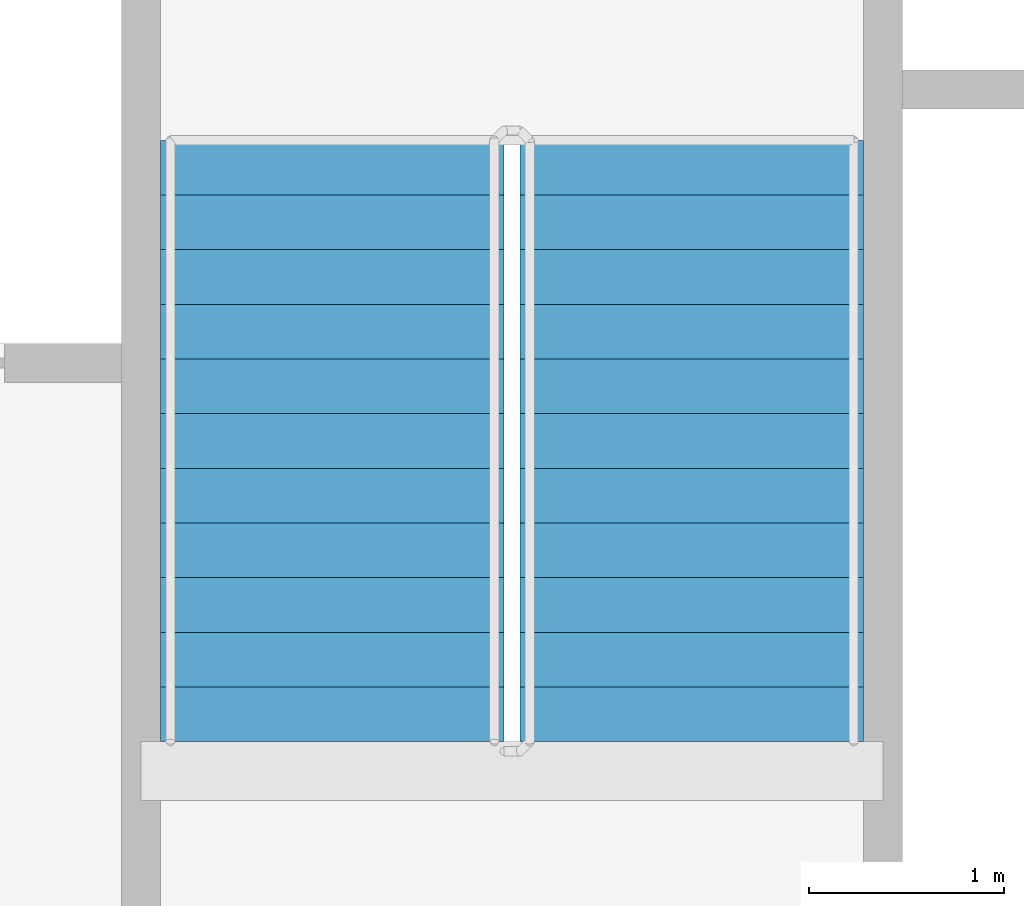
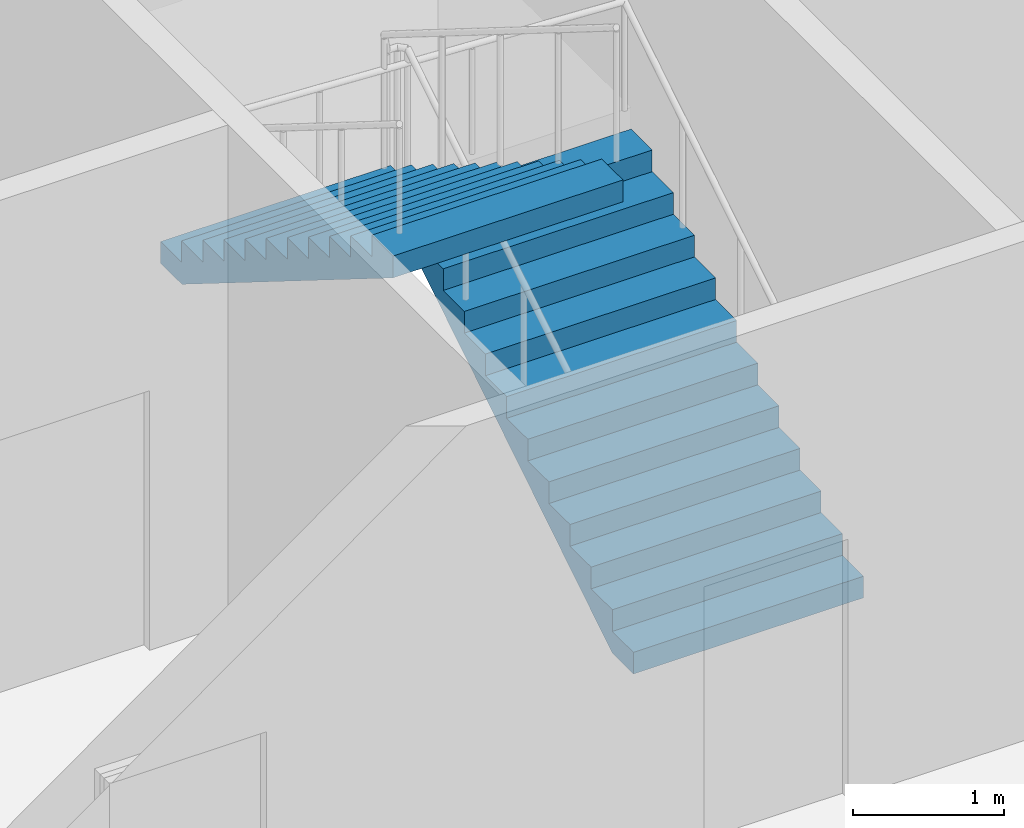
# One storey, part 30 of 35: 2 stair flights, 1 element without a shape of its own.
"""IFC4 building model written with IfcOpenShell, lengths in metres."""

import ifcopenshell
import ifcopenshell.guid

model = None  # the IFC model being written
_history = None  # IfcOwnerHistory: only IFC2X3 demands one
_inside = {}  # id of a spatial element -> (the spatial element, [elements in it])
_under = {}  # id of a project, library or spatial element -> (it, [spatial elements below it])
_declared = {}  # id of a project -> (the project, [libraries it declares])
_typed = {}  # id of a type object -> (the type object, [elements of that type])
_made_of = {}  # id of a material, layer set ... -> (it, [elements and type objects made of it])


def new_model(schema):
    """Start an empty IFC model of exactly this schema.

    Asked for "IFC4X3", IfcOpenShell would pick the latest addendum, in which some entities
    have other attributes; the version numbers below select the first issue.
    IFC2X3 requires an IfcOwnerHistory on every rooted entity: one is made here for all.
    """
    global model, _history
    if schema == "IFC4X3":
        model = ifcopenshell.file(schema_version=(4, 3, 0, 0))
    else:
        model = ifcopenshell.file(schema=schema)
    _inside.clear()
    _under.clear()
    _declared.clear()
    _typed.clear()
    _made_of.clear()
    _history = None
    if model.schema == "IFC2X3":
        org = make("IfcOrganization", Name="unknown")
        user = make(
            "IfcPersonAndOrganization",
            ThePerson=make("IfcPerson", FamilyName="unknown"),
            TheOrganization=org,
        )
        app = make(
            "IfcApplication",
            ApplicationDeveloper=org,
            Version="unknown",
            ApplicationFullName="unknown",
            ApplicationIdentifier="unknown",
        )
        _history = make(
            "IfcOwnerHistory",
            OwningUser=user,
            OwningApplication=app,
            ChangeAction="ADDED",
            CreationDate=0,
        )
    return model


def make(cls, **values):
    """One entity of the class cls with the attributes given. An attribute that is None is left unset."""
    return model.create_entity(
        cls, **{name: value for name, value in values.items() if value is not None}
    )


def rooted(cls, **values):
    """An entity with a GlobalId (a new one), such as an element, a storey or a relation."""
    return make(cls, GlobalId=ifcopenshell.guid.new(), OwnerHistory=_history, **values)


def si_unit(unit_type, name, prefix=None):
    """IfcSIUnit, for example si_unit("LENGTHUNIT", "METRE", prefix="MILLI")."""
    return make("IfcSIUnit", UnitType=unit_type, Prefix=prefix, Name=name)


def assignment(units):
    """IfcUnitAssignment: the units of a project."""
    return None if units is None else make("IfcUnitAssignment", Units=units)


def point(xyz):
    """IfcCartesianPoint."""
    return None if xyz is None else make("IfcCartesianPoint", Coordinates=xyz)


def direction(xyz):
    """IfcDirection."""
    return None if xyz is None else make("IfcDirection", DirectionRatios=xyz)


def frame(location, z_axis=None, x_axis=None):
    """IfcAxis2Placement3D, a coordinate frame: its origin and axes. An axis left out is left unset."""
    return make(
        "IfcAxis2Placement3D",
        Location=point(location),
        Axis=direction(z_axis),
        RefDirection=direction(x_axis),
    )


def origin():
    """The frame at (0, 0, 0) with its axes left unset."""
    return frame((0.0, 0.0, 0.0))


def place(relative_to, where):
    """IfcLocalPlacement: puts the frame where relative to a parent placement (None: the world)."""
    return make(
        "IfcLocalPlacement", PlacementRelTo=relative_to, RelativePlacement=where
    )


def context(
    kind, dimensions, precision=None, world=None, true_north=None, identifier=None
):
    """IfcGeometricRepresentationContext, for example the 3D "Model" context."""
    return make(
        "IfcGeometricRepresentationContext",
        ContextIdentifier=identifier,
        ContextType=kind,
        CoordinateSpaceDimension=dimensions,
        Precision=precision,
        WorldCoordinateSystem=world,
        TrueNorth=true_north,
    )


def subcontext(parent, identifier, kind, view, scale=None):
    """IfcGeometricRepresentationSubContext, for example "Body" below "Model"."""
    return make(
        "IfcGeometricRepresentationSubContext",
        ContextIdentifier=identifier,
        ContextType=kind,
        ParentContext=parent,
        TargetScale=scale,
        TargetView=view,
    )


def project(units=None, contexts=None):
    """IfcProject with its units and contexts."""
    return rooted(
        "IfcProject",
        Name="project",
        RepresentationContexts=contexts,
        UnitsInContext=assignment(units),
    )


def spatial(cls, under=None, at=None, **own):
    """A site, building, storey or space (cls), placed at a placement, below another one or the project."""
    s = rooted(cls, ObjectPlacement=at, **own)
    if under is not None:
        _under.setdefault(under.id(), (under, []))[1].append(s)
    return s


def faces_of(points, faces, orient=None, outer=None):
    """IfcFace entities. A face is a list of loops; a loop is a list of indices into points, from 0.

    orient and outer hold one flag for each loop. By default every Orientation is true, the
    first loop of a face is its IfcFaceOuterBound and the others are IfcFaceBound.
    """
    made = []
    for i, loops in enumerate(faces):
        bounds = []
        for j, loop in enumerate(loops):
            is_outer = j == 0 if outer is None else outer[i][j]
            bounds.append(
                make(
                    "IfcFaceOuterBound" if is_outer else "IfcFaceBound",
                    Bound=make("IfcPolyLoop", Polygon=[points[k] for k in loop]),
                    Orientation=True if orient is None else orient[i][j],
                )
            )
        made.append(make("IfcFace", Bounds=bounds))
    return made


def faceted_brep(points, faces, orient=None, outer=None, voids=None):
    """IfcFacetedBrep: a solid bounded by flat faces; with voids (closed shells), ...WithVoids."""
    shared = [point(p) for p in points]
    hull = make("IfcClosedShell", CfsFaces=faces_of(shared, faces, orient, outer))
    if voids is None:
        return make("IfcFacetedBrep", Outer=hull)
    return make(
        "IfcFacetedBrepWithVoids",
        Outer=hull,
        Voids=[
            make(cls, CfsFaces=faces_of(shared, fs, o, b)) for cls, fs, o, b in voids
        ],
    )


def shape(context_of_items, identifier, shape_type, items):
    """IfcShapeRepresentation: the items that make up one representation, for example the "Body"."""
    return make(
        "IfcShapeRepresentation",
        ContextOfItems=context_of_items,
        RepresentationIdentifier=identifier,
        RepresentationType=shape_type,
        Items=items,
    )


def material(Name=None, Category=None):
    """IfcMaterial."""
    return make("IfcMaterial", Name=Name, Category=Category)


def made_of(thing, what):
    """Note that an element or type object is made of a material, layer set ...; save() writes the relation."""
    if what is not None:
        _made_of.setdefault(what.id(), (what, []))[1].append(thing)
    return thing


def type_object(cls, material=None, **own):
    """A type object (cls), such as IfcWallType, which elements share."""
    return made_of(rooted(cls, **own), material)


def element(
    cls,
    number,
    at=None,
    inside=None,
    cuts=None,
    type_object=None,
    material=None,
    context=None,
    identifier="Body",
    shape_type=None,
    held_by="IfcProductDefinitionShape",
    body=None,
    shapes=None,
    **own,
):
    """One element of the class cls, such as IfcWall. Its Tag is "e" and its number.

    at: its placement. inside: the storey or other place that contains it. cuts: it is an
    opening in that element (IfcRelVoidsElement). A single representation is given by context,
    identifier, shape_type and body (its items); several are given by shapes. held_by: the class
    of the entity that holds the representations. save() writes the other relations.
    """
    e = rooted(cls, Tag="e%d" % number, ObjectPlacement=at, **own)
    if body is not None:
        shapes = [shape(context, identifier, shape_type, body)]
    if shapes is not None:
        e.Representation = make(held_by, Representations=shapes)
    if inside is not None:
        _inside.setdefault(inside.id(), (inside, []))[1].append(e)
    if cuts is not None:
        rooted(
            "IfcRelVoidsElement", RelatingBuildingElement=cuts, RelatedOpeningElement=e
        )
    if type_object is not None:
        _typed.setdefault(type_object.id(), (type_object, []))[1].append(e)
    return made_of(e, material)


def aggregate(whole, parts):
    """IfcRelAggregates: a whole, such as a stair, and the parts it consists of."""
    return rooted("IfcRelAggregates", RelatingObject=whole, RelatedObjects=parts)


def save(model, path):
    """Write the relations noted so far, then the file.

    IfcRelAggregates (storeys below a building ...), IfcRelContainedInSpatialStructure (elements
    in a storey), IfcRelDefinesByType, IfcRelAssociatesMaterial and IfcRelDeclares: one each for
    every whole, place, type object, material and project.
    """
    for whole, parts in _under.values():
        aggregate(whole, parts)
    for where, things in _inside.values():
        rooted(
            "IfcRelContainedInSpatialStructure",
            RelatedElements=things,
            RelatingStructure=where,
        )
    for kind, things in _typed.values():
        rooted("IfcRelDefinesByType", RelatedObjects=things, RelatingType=kind)
    for what, things in _made_of.values():
        rooted("IfcRelAssociatesMaterial", RelatedObjects=things, RelatingMaterial=what)
    for by, libraries in _declared.values():
        rooted("IfcRelDeclares", RelatingContext=by, RelatedDefinitions=libraries)
    model.write(path)


model = new_model("IFC4")

# Units and contexts
model_context = context("Model", 3, precision=1e-05, world=origin(), true_north=direction((0.0, 1.0)))
body_context = subcontext(model_context, "Body", "Model", "MODEL_VIEW")
ifc_project = project(units=[si_unit("LENGTHUNIT", "METRE"), si_unit("AREAUNIT", "SQUARE_METRE"), si_unit("VOLUMEUNIT", "CUBIC_METRE"), si_unit("PLANEANGLEUNIT", "RADIAN"), si_unit("MASSUNIT", "GRAM", prefix="KILO")], contexts=[model_context])

# Site, building, storey
site_placement = place(None, origin())
site = spatial("IfcSite", under=ifc_project, at=site_placement, CompositionType="ELEMENT")
building_placement = place(site_placement, origin())
building = spatial("IfcBuilding", under=site, at=building_placement, Name="Tarsis Ring Headquarters", CompositionType="ELEMENT")
storey_placement = place(building_placement, frame((0.0, 0.0, 360.800048828125)))
storey = spatial("IfcBuildingStorey", under=building, at=storey_placement, Name="L85", CompositionType="ELEMENT", Elevation=360.800048828125)

# Stair, stair flights
ifc_material_1 = material(Name="Core stair 1760")
stair_type = type_object("IfcStairType", Name="Core stair 1760", PredefinedType="HALF_TURN_STAIR", material=ifc_material_1)
stair_placement = place(storey_placement, origin())
stair = element("IfcStair", 1, at=stair_placement, inside=storey, type_object=stair_type, Name="L85 Exit stair B", PredefinedType="HALF_TURN_STAIR")
ifc_material_2 = material(Name="Concrete C40/50", Category="concrete")
stair_flight_type = type_object("IfcStairFlightType", Name="Core stair flight 1760", PredefinedType="STRAIGHT", material=ifc_material_2)
stair_flight_1_placement = place(storey_placement, frame((5.419921875, 3.659912109375, 0.0), z_axis=(0.0, 0.0, 1.0), x_axis=(0.0, 1.0, 0.0)))
stair_flight_1 = element("IfcStairFlight", 2, at=stair_flight_1_placement, type_object=stair_flight_type, Name="Stair ST2 flight 1", NumberOfRisers=12, NumberOfTreads=11, PredefinedType="STRAIGHT", RiserHeight=0.175, TreadLength=0.28, context=body_context, shape_type="Brep", body=[
    faceted_brep([(0.0, 0.8798828125, 0.0), (0.0, 0.8798828125, 0.175048828125), (0.280029296875, 0.8798828125, 0.175048828125), (0.280029296875, 0.8798828125, 0.35009765625), (0.56005859375, 0.8798828125, 0.35009765625), (0.56005859375, 0.8798828125, 0.52490234375), (0.840087890625, 0.8798828125, 0.52490234375), (0.840087890625, 0.8798828125, 0.699951171875), (1.1201171875, 0.8798828125, 0.699951171875), (1.1201171875, 0.8798828125, 0.875), (1.39990234375, 0.8798828125, 0.875), (1.39990234375, 0.8798828125, 1.050048828125), (1.679931640625, 0.8798828125, 1.050048828125), (1.679931640625, 0.8798828125, 1.22509765625), (1.9599609375, 0.8798828125, 1.22509765625), (1.9599609375, 0.8798828125, 1.39990234375), (2.239990234375, 0.8798828125, 1.39990234375), (2.239990234375, 0.8798828125, 1.574951171875), (2.52001953125, 0.8798828125, 1.574951171875), (2.52001953125, 0.8798828125, 1.75), (2.800048828125, 0.8798828125, 1.75), (2.800048828125, 0.8798828125, 1.925048828125), (3.080078125, 0.8798828125, 1.925048828125), (3.080078125, 0.8798828125, 1.748291015625), (0.28271484375, 0.8798828125, 0.0), (0.28271484375, -0.8798828125, 0.0), (3.080078125, -0.8798828125, 1.748291015625), (3.080078125, -0.8798828125, 1.925048828125), (2.800048828125, -0.8798828125, 1.925048828125), (2.800048828125, -0.8798828125, 1.75), (2.52001953125, -0.8798828125, 1.75), (2.52001953125, -0.8798828125, 1.574951171875), (2.239990234375, -0.8798828125, 1.574951171875), (2.239990234375, -0.8798828125, 1.39990234375), (1.9599609375, -0.8798828125, 1.39990234375), (1.9599609375, -0.8798828125, 1.22509765625), (1.679931640625, -0.8798828125, 1.22509765625), (1.679931640625, -0.8798828125, 1.050048828125), (1.39990234375, -0.8798828125, 1.050048828125), (1.39990234375, -0.8798828125, 0.875), (1.1201171875, -0.8798828125, 0.875), (1.1201171875, -0.8798828125, 0.699951171875), (0.840087890625, -0.8798828125, 0.699951171875), (0.840087890625, -0.8798828125, 0.52490234375), (0.56005859375, -0.8798828125, 0.52490234375), (0.56005859375, -0.8798828125, 0.35009765625), (0.280029296875, -0.8798828125, 0.35009765625), (0.280029296875, -0.8798828125, 0.175048828125), (0.0, -0.8798828125, 0.175048828125), (0.0, -0.8798828125, 0.0), (0.0, -0.43994140625, 0.175048828125), (0.0, -0.43994140625, 0.0), (0.0, 0.0, 0.175048828125), (0.0, 0.0, 0.0), (0.0, 0.43994140625, 0.175048828125), (0.0, 0.43994140625, 0.0), (0.280029296875, -0.43994140625, 0.175048828125), (0.280029296875, 0.0, 0.175048828125), (0.280029296875, 0.43994140625, 0.175048828125), (0.280029296875, -0.43994140625, 0.35009765625), (0.280029296875, 0.0, 0.35009765625), (0.280029296875, 0.43994140625, 0.35009765625), (0.56005859375, -0.43994140625, 0.35009765625), (0.56005859375, 0.0, 0.35009765625), (0.56005859375, 0.43994140625, 0.35009765625), (0.56005859375, -0.43994140625, 0.52490234375), (0.56005859375, 0.0, 0.52490234375), (0.56005859375, 0.43994140625, 0.52490234375), (0.840087890625, -0.43994140625, 0.52490234375), (0.840087890625, 0.0, 0.52490234375), (0.840087890625, 0.43994140625, 0.52490234375), (0.840087890625, -0.43994140625, 0.699951171875), (0.840087890625, 0.0, 0.699951171875), (0.840087890625, 0.43994140625, 0.699951171875), (1.1201171875, -0.43994140625, 0.699951171875), (1.1201171875, 0.0, 0.699951171875), (1.1201171875, 0.43994140625, 0.699951171875), (1.1201171875, -0.43994140625, 0.875), (1.1201171875, 0.0, 0.875), (1.1201171875, 0.43994140625, 0.875), (1.39990234375, -0.43994140625, 0.875), (1.39990234375, 0.0, 0.875), (1.39990234375, 0.43994140625, 0.875), (1.39990234375, -0.43994140625, 1.050048828125), (1.39990234375, 0.0, 1.050048828125), (1.39990234375, 0.43994140625, 1.050048828125), (1.679931640625, -0.43994140625, 1.050048828125), (1.679931640625, 0.0, 1.050048828125), (1.679931640625, 0.43994140625, 1.050048828125), (1.679931640625, -0.43994140625, 1.22509765625), (1.679931640625, 0.0, 1.22509765625), (1.679931640625, 0.43994140625, 1.22509765625), (1.9599609375, -0.43994140625, 1.22509765625), (1.9599609375, 0.0, 1.22509765625), (1.9599609375, 0.43994140625, 1.22509765625), (1.9599609375, -0.43994140625, 1.39990234375), (1.9599609375, 0.0, 1.39990234375), (1.9599609375, 0.43994140625, 1.39990234375), (2.239990234375, -0.43994140625, 1.39990234375), (2.239990234375, 0.0, 1.39990234375), (2.239990234375, 0.43994140625, 1.39990234375), (2.239990234375, -0.43994140625, 1.574951171875), (2.239990234375, 0.0, 1.574951171875), (2.239990234375, 0.43994140625, 1.574951171875), (2.52001953125, -0.43994140625, 1.574951171875), (2.52001953125, 0.0, 1.574951171875), (2.52001953125, 0.43994140625, 1.574951171875), (2.52001953125, -0.43994140625, 1.75), (2.52001953125, 0.0, 1.75), (2.52001953125, 0.43994140625, 1.75), (2.800048828125, -0.43994140625, 1.75), (2.800048828125, 0.0, 1.75), (2.800048828125, 0.43994140625, 1.75), (2.800048828125, -0.43994140625, 1.925048828125), (2.800048828125, 0.0, 1.925048828125), (2.800048828125, 0.43994140625, 1.925048828125), (3.080078125, -0.43994140625, 1.925048828125), (3.080078125, 0.0, 1.925048828125), (3.080078125, 0.43994140625, 1.925048828125), (3.080078125, -0.43994140625, 1.748291015625), (3.080078125, 0.0, 1.748291015625), (3.080078125, 0.43994140625, 1.748291015625), (0.28271484375, -0.43994140625, 0.0), (0.28271484375, 0.0, 0.0), (0.28271484375, 0.43994140625, 0.0)], [[[0, 1, 2, 3, 4, 5, 6, 7, 8, 9, 10, 11, 12, 13, 14, 15, 16, 17, 18, 19, 20, 21, 22, 23, 24]], [[25, 26, 27, 28, 29, 30, 31, 32, 33, 34, 35, 36, 37, 38, 39, 40, 41, 42, 43, 44, 45, 46, 47, 48, 49]], [[49, 48, 50, 51]], [[51, 50, 52, 53]], [[53, 52, 54, 55]], [[55, 54, 1, 0]], [[48, 47, 56, 50]], [[50, 56, 57, 52]], [[52, 57, 58, 54]], [[54, 58, 2, 1]], [[47, 46, 59, 56]], [[56, 59, 60, 57]], [[57, 60, 61, 58]], [[58, 61, 3, 2]], [[46, 45, 62, 59]], [[59, 62, 63, 60]], [[60, 63, 64, 61]], [[61, 64, 4, 3]], [[45, 44, 65, 62]], [[62, 65, 66, 63]], [[63, 66, 67, 64]], [[64, 67, 5, 4]], [[44, 43, 68, 65]], [[65, 68, 69, 66]], [[66, 69, 70, 67]], [[67, 70, 6, 5]], [[43, 42, 71, 68]], [[68, 71, 72, 69]], [[69, 72, 73, 70]], [[70, 73, 7, 6]], [[42, 41, 74, 71]], [[71, 74, 75, 72]], [[72, 75, 76, 73]], [[73, 76, 8, 7]], [[41, 40, 77, 74]], [[74, 77, 78, 75]], [[75, 78, 79, 76]], [[76, 79, 9, 8]], [[40, 39, 80, 77]], [[77, 80, 81, 78]], [[78, 81, 82, 79]], [[79, 82, 10, 9]], [[39, 38, 83, 80]], [[80, 83, 84, 81]], [[81, 84, 85, 82]], [[82, 85, 11, 10]], [[38, 37, 86, 83]], [[83, 86, 87, 84]], [[84, 87, 88, 85]], [[85, 88, 12, 11]], [[37, 36, 89, 86]], [[86, 89, 90, 87]], [[87, 90, 91, 88]], [[88, 91, 13, 12]], [[36, 35, 92, 89]], [[89, 92, 93, 90]], [[90, 93, 94, 91]], [[91, 94, 14, 13]], [[35, 34, 95, 92]], [[92, 95, 96, 93]], [[93, 96, 97, 94]], [[94, 97, 15, 14]], [[34, 33, 98, 95]], [[95, 98, 99, 96]], [[96, 99, 100, 97]], [[97, 100, 16, 15]], [[33, 32, 101, 98]], [[98, 101, 102, 99]], [[99, 102, 103, 100]], [[100, 103, 17, 16]], [[32, 31, 104, 101]], [[101, 104, 105, 102]], [[102, 105, 106, 103]], [[103, 106, 18, 17]], [[31, 30, 107, 104]], [[104, 107, 108, 105]], [[105, 108, 109, 106]], [[106, 109, 19, 18]], [[30, 29, 110, 107]], [[107, 110, 111, 108]], [[108, 111, 112, 109]], [[109, 112, 20, 19]], [[29, 28, 113, 110]], [[110, 113, 114, 111]], [[111, 114, 115, 112]], [[112, 115, 21, 20]], [[28, 27, 116, 113]], [[113, 116, 117, 114]], [[114, 117, 118, 115]], [[115, 118, 22, 21]], [[27, 26, 119, 116]], [[116, 119, 120, 117]], [[117, 120, 121, 118]], [[118, 121, 23, 22]], [[26, 25, 122, 119]], [[119, 122, 123, 120]], [[120, 123, 124, 121]], [[121, 124, 24, 23]], [[25, 49, 51, 122]], [[122, 51, 53, 123]], [[123, 53, 55, 124]], [[124, 55, 0, 24]]]),
])
stair_flight_2_placement = place(storey_placement, frame((3.580078125, 6.739990234375, 2.099853515625), z_axis=(0.0, 0.0, 1.0), x_axis=(0.0, -1.0, 0.0)))
stair_flight_2 = element("IfcStairFlight", 3, at=stair_flight_2_placement, type_object=stair_flight_type, Name="Stair ST2 flight 2", NumberOfRisers=12, NumberOfTreads=11, PredefinedType="STRAIGHT", RiserHeight=0.175, TreadLength=0.28, context=body_context, shape_type="Brep", body=[
    faceted_brep([(0.0, 0.8798828125, 0.0), (0.0, 0.8798828125, 0.175048828125), (0.280029296875, 0.8798828125, 0.175048828125), (0.280029296875, 0.8798828125, 0.35009765625), (0.56005859375, 0.8798828125, 0.35009765625), (0.56005859375, 0.8798828125, 0.52490234375), (0.840087890625, 0.8798828125, 0.52490234375), (0.840087890625, 0.8798828125, 0.699951171875), (1.1201171875, 0.8798828125, 0.699951171875), (1.1201171875, 0.8798828125, 0.875), (1.39990234375, 0.8798828125, 0.875), (1.39990234375, 0.8798828125, 1.050048828125), (1.679931640625, 0.8798828125, 1.050048828125), (1.679931640625, 0.8798828125, 1.22509765625), (1.9599609375, 0.8798828125, 1.22509765625), (1.9599609375, 0.8798828125, 1.39990234375), (2.239990234375, 0.8798828125, 1.39990234375), (2.239990234375, 0.8798828125, 1.574951171875), (2.52001953125, 0.8798828125, 1.574951171875), (2.52001953125, 0.8798828125, 1.75), (2.800048828125, 0.8798828125, 1.75), (2.800048828125, 0.8798828125, 1.925048828125), (3.080078125, 0.8798828125, 1.925048828125), (3.080078125, 0.8798828125, 1.748291015625), (0.28271484375, 0.8798828125, 0.0), (0.28271484375, -0.8798828125, 0.0), (3.080078125, -0.8798828125, 1.748291015625), (3.080078125, -0.8798828125, 1.925048828125), (2.800048828125, -0.8798828125, 1.925048828125), (2.800048828125, -0.8798828125, 1.75), (2.52001953125, -0.8798828125, 1.75), (2.52001953125, -0.8798828125, 1.574951171875), (2.239990234375, -0.8798828125, 1.574951171875), (2.239990234375, -0.8798828125, 1.39990234375), (1.9599609375, -0.8798828125, 1.39990234375), (1.9599609375, -0.8798828125, 1.22509765625), (1.679931640625, -0.8798828125, 1.22509765625), (1.679931640625, -0.8798828125, 1.050048828125), (1.39990234375, -0.8798828125, 1.050048828125), (1.39990234375, -0.8798828125, 0.875), (1.1201171875, -0.8798828125, 0.875), (1.1201171875, -0.8798828125, 0.699951171875), (0.840087890625, -0.8798828125, 0.699951171875), (0.840087890625, -0.8798828125, 0.52490234375), (0.56005859375, -0.8798828125, 0.52490234375), (0.56005859375, -0.8798828125, 0.35009765625), (0.280029296875, -0.8798828125, 0.35009765625), (0.280029296875, -0.8798828125, 0.175048828125), (0.0, -0.8798828125, 0.175048828125), (0.0, -0.8798828125, 0.0), (0.0, -0.43994140625, 0.175048828125), (0.0, -0.43994140625, 0.0), (0.0, 0.0, 0.175048828125), (0.0, 0.0, 0.0), (0.0, 0.43994140625, 0.175048828125), (0.0, 0.43994140625, 0.0), (0.280029296875, -0.43994140625, 0.175048828125), (0.280029296875, 0.0, 0.175048828125), (0.280029296875, 0.43994140625, 0.175048828125), (0.280029296875, -0.43994140625, 0.35009765625), (0.280029296875, 0.0, 0.35009765625), (0.280029296875, 0.43994140625, 0.35009765625), (0.56005859375, -0.43994140625, 0.35009765625), (0.56005859375, 0.0, 0.35009765625), (0.56005859375, 0.43994140625, 0.35009765625), (0.56005859375, -0.43994140625, 0.52490234375), (0.56005859375, 0.0, 0.52490234375), (0.56005859375, 0.43994140625, 0.52490234375), (0.840087890625, -0.43994140625, 0.52490234375), (0.840087890625, 0.0, 0.52490234375), (0.840087890625, 0.43994140625, 0.52490234375), (0.840087890625, -0.43994140625, 0.699951171875), (0.840087890625, 0.0, 0.699951171875), (0.840087890625, 0.43994140625, 0.699951171875), (1.1201171875, -0.43994140625, 0.699951171875), (1.1201171875, 0.0, 0.699951171875), (1.1201171875, 0.43994140625, 0.699951171875), (1.1201171875, -0.43994140625, 0.875), (1.1201171875, 0.0, 0.875), (1.1201171875, 0.43994140625, 0.875), (1.39990234375, -0.43994140625, 0.875), (1.39990234375, 0.0, 0.875), (1.39990234375, 0.43994140625, 0.875), (1.39990234375, -0.43994140625, 1.050048828125), (1.39990234375, 0.0, 1.050048828125), (1.39990234375, 0.43994140625, 1.050048828125), (1.679931640625, -0.43994140625, 1.050048828125), (1.679931640625, 0.0, 1.050048828125), (1.679931640625, 0.43994140625, 1.050048828125), (1.679931640625, -0.43994140625, 1.22509765625), (1.679931640625, 0.0, 1.22509765625), (1.679931640625, 0.43994140625, 1.22509765625), (1.9599609375, -0.43994140625, 1.22509765625), (1.9599609375, 0.0, 1.22509765625), (1.9599609375, 0.43994140625, 1.22509765625), (1.9599609375, -0.43994140625, 1.39990234375), (1.9599609375, 0.0, 1.39990234375), (1.9599609375, 0.43994140625, 1.39990234375), (2.239990234375, -0.43994140625, 1.39990234375), (2.239990234375, 0.0, 1.39990234375), (2.239990234375, 0.43994140625, 1.39990234375), (2.239990234375, -0.43994140625, 1.574951171875), (2.239990234375, 0.0, 1.574951171875), (2.239990234375, 0.43994140625, 1.574951171875), (2.52001953125, -0.43994140625, 1.574951171875), (2.52001953125, 0.0, 1.574951171875), (2.52001953125, 0.43994140625, 1.574951171875), (2.52001953125, -0.43994140625, 1.75), (2.52001953125, 0.0, 1.75), (2.52001953125, 0.43994140625, 1.75), (2.800048828125, -0.43994140625, 1.75), (2.800048828125, 0.0, 1.75), (2.800048828125, 0.43994140625, 1.75), (2.800048828125, -0.43994140625, 1.925048828125), (2.800048828125, 0.0, 1.925048828125), (2.800048828125, 0.43994140625, 1.925048828125), (3.080078125, -0.43994140625, 1.925048828125), (3.080078125, 0.0, 1.925048828125), (3.080078125, 0.43994140625, 1.925048828125), (3.080078125, -0.43994140625, 1.748291015625), (3.080078125, 0.0, 1.748291015625), (3.080078125, 0.43994140625, 1.748291015625), (0.28271484375, -0.43994140625, 0.0), (0.28271484375, 0.0, 0.0), (0.28271484375, 0.43994140625, 0.0)], [[[0, 1, 2, 3, 4, 5, 6, 7, 8, 9, 10, 11, 12, 13, 14, 15, 16, 17, 18, 19, 20, 21, 22, 23, 24]], [[25, 26, 27, 28, 29, 30, 31, 32, 33, 34, 35, 36, 37, 38, 39, 40, 41, 42, 43, 44, 45, 46, 47, 48, 49]], [[49, 48, 50, 51]], [[51, 50, 52, 53]], [[53, 52, 54, 55]], [[55, 54, 1, 0]], [[48, 47, 56, 50]], [[50, 56, 57, 52]], [[52, 57, 58, 54]], [[54, 58, 2, 1]], [[47, 46, 59, 56]], [[56, 59, 60, 57]], [[57, 60, 61, 58]], [[58, 61, 3, 2]], [[46, 45, 62, 59]], [[59, 62, 63, 60]], [[60, 63, 64, 61]], [[61, 64, 4, 3]], [[45, 44, 65, 62]], [[62, 65, 66, 63]], [[63, 66, 67, 64]], [[64, 67, 5, 4]], [[44, 43, 68, 65]], [[65, 68, 69, 66]], [[66, 69, 70, 67]], [[67, 70, 6, 5]], [[43, 42, 71, 68]], [[68, 71, 72, 69]], [[69, 72, 73, 70]], [[70, 73, 7, 6]], [[42, 41, 74, 71]], [[71, 74, 75, 72]], [[72, 75, 76, 73]], [[73, 76, 8, 7]], [[41, 40, 77, 74]], [[74, 77, 78, 75]], [[75, 78, 79, 76]], [[76, 79, 9, 8]], [[40, 39, 80, 77]], [[77, 80, 81, 78]], [[78, 81, 82, 79]], [[79, 82, 10, 9]], [[39, 38, 83, 80]], [[80, 83, 84, 81]], [[81, 84, 85, 82]], [[82, 85, 11, 10]], [[38, 37, 86, 83]], [[83, 86, 87, 84]], [[84, 87, 88, 85]], [[85, 88, 12, 11]], [[37, 36, 89, 86]], [[86, 89, 90, 87]], [[87, 90, 91, 88]], [[88, 91, 13, 12]], [[36, 35, 92, 89]], [[89, 92, 93, 90]], [[90, 93, 94, 91]], [[91, 94, 14, 13]], [[35, 34, 95, 92]], [[92, 95, 96, 93]], [[93, 96, 97, 94]], [[94, 97, 15, 14]], [[34, 33, 98, 95]], [[95, 98, 99, 96]], [[96, 99, 100, 97]], [[97, 100, 16, 15]], [[33, 32, 101, 98]], [[98, 101, 102, 99]], [[99, 102, 103, 100]], [[100, 103, 17, 16]], [[32, 31, 104, 101]], [[101, 104, 105, 102]], [[102, 105, 106, 103]], [[103, 106, 18, 17]], [[31, 30, 107, 104]], [[104, 107, 108, 105]], [[105, 108, 109, 106]], [[106, 109, 19, 18]], [[30, 29, 110, 107]], [[107, 110, 111, 108]], [[108, 111, 112, 109]], [[109, 112, 20, 19]], [[29, 28, 113, 110]], [[110, 113, 114, 111]], [[111, 114, 115, 112]], [[112, 115, 21, 20]], [[28, 27, 116, 113]], [[113, 116, 117, 114]], [[114, 117, 118, 115]], [[115, 118, 22, 21]], [[27, 26, 119, 116]], [[116, 119, 120, 117]], [[117, 120, 121, 118]], [[118, 121, 23, 22]], [[26, 25, 122, 119]], [[119, 122, 123, 120]], [[120, 123, 124, 121]], [[121, 124, 24, 23]], [[25, 49, 51, 122]], [[122, 51, 53, 123]], [[123, 53, 55, 124]], [[124, 55, 0, 24]]]),
])
aggregate(stair, [stair_flight_1, stair_flight_2])

save(model, "model.ifc")
